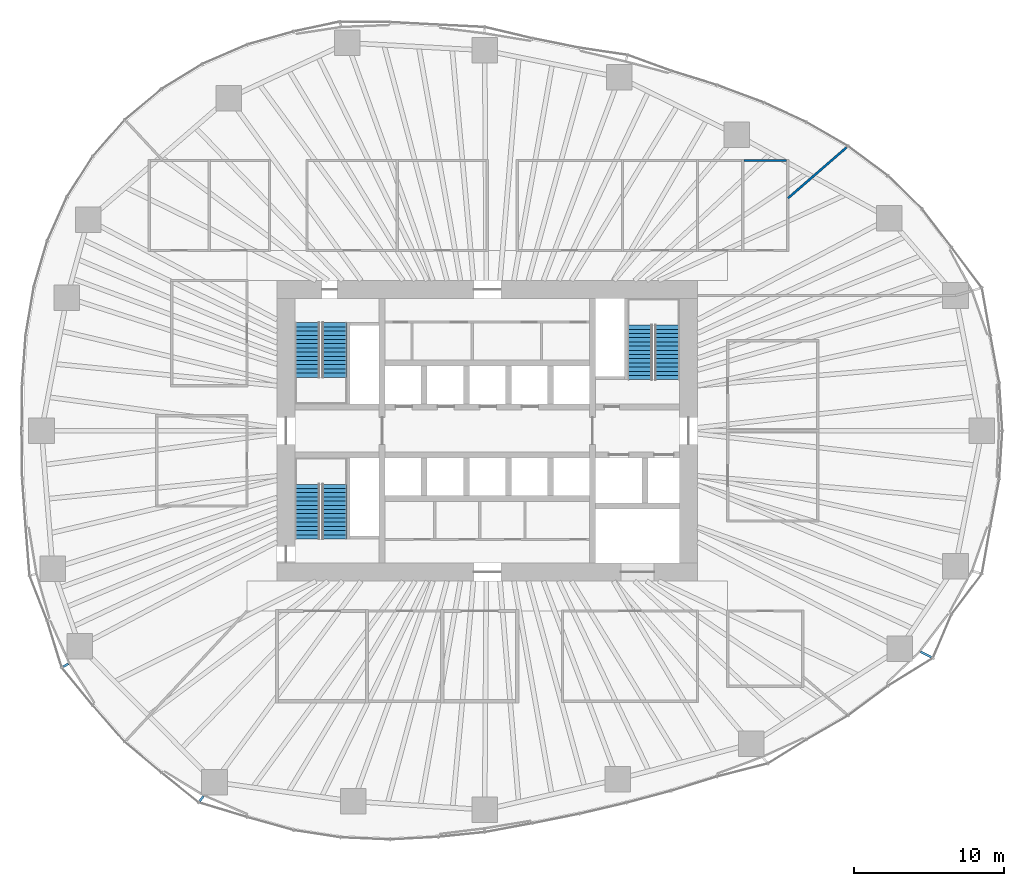
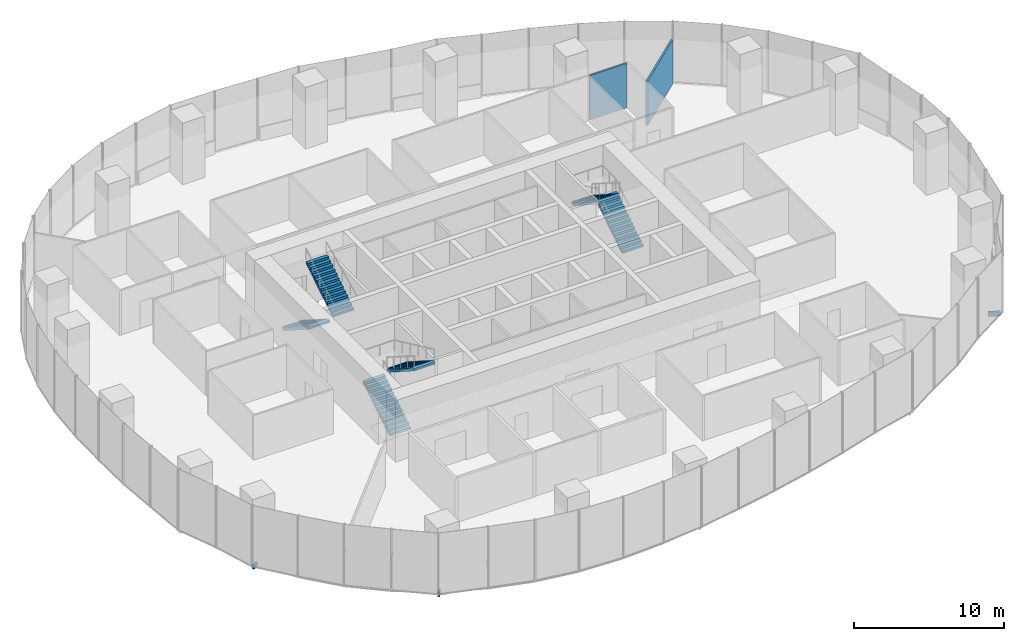
# One storey, part 12 of 19: 6 stair flights, 3 discrete accessories, 2 walls, 3 elements without a shape of their own.
"""IFC4 building model written with IfcOpenShell, lengths in metres."""

from ifc_helpers import new_model, si_unit, direction, frame, frame_2d, origin, origin_2d, place, context, subcontext, project, spatial, polyline, rectangle, outline, extrude, material, layer, layer_set, type_object, element, aggregate, save


model = new_model("IFC4")

# Units and contexts
model_context = context("Model", 3, precision=1e-05, world=origin(), true_north=direction((0.0, 1.0)))
body_context = subcontext(model_context, "Body", "Model", "MODEL_VIEW")
ifc_project = project(units=[si_unit("LENGTHUNIT", "METRE"), si_unit("AREAUNIT", "SQUARE_METRE"), si_unit("VOLUMEUNIT", "CUBIC_METRE"), si_unit("PLANEANGLEUNIT", "RADIAN"), si_unit("MASSUNIT", "GRAM", prefix="KILO")], contexts=[model_context])

# Site, building, storey
site_placement = place(None, origin())
site = spatial("IfcSite", under=ifc_project, at=site_placement, CompositionType="ELEMENT")
building_placement = place(site_placement, origin())
building = spatial("IfcBuilding", under=site, at=building_placement, Name="Ghaith Harvest Tower", CompositionType="ELEMENT")
storey_placement = place(building_placement, frame((0.0, 0.0, 75.0)))
storey = spatial("IfcBuildingStorey", under=building, at=storey_placement, Name="L15", CompositionType="ELEMENT", Elevation=75.0)

# Walls
ifc_material_1 = material(Name="Gypsum board on steel studs", Category="steel")
ifc_layer = layer(ifc_material_1, 0.14990234375)
ifc_layer_set = layer_set([ifc_layer], Name="PARTITION 150")
wall_type = type_object("IfcWallType", Name="PARTITION 150", PredefinedType="PARTITIONING", material=ifc_layer_set)
wall_1_placement = place(storey_placement, frame((17.074951171875, 18.0, 0.0), z_axis=(0.0, 0.0, 1.0), x_axis=(1.0, 0.0, 0.0)))
element("IfcWall", 1, at=wall_1_placement, inside=storey, type_object=wall_type, Name="Partition L15-13", PredefinedType="PARTITIONING", context=body_context, shape_type="SweptSolid", body=[
    extrude(rectangle(XDim=2.85009765625, YDim=0.14990234375, at=frame_2d((1.425048828125, 0.0))), origin(), (0.0, 0.0, 1.0), 3.60009765625),
])
wall_2_placement = place(storey_placement, frame((20.02001953125, 15.48681640625, 0.0), z_axis=(0.0, 0.0, 1.0), x_axis=(0.755443308786, 0.655214016342, 0.0)))
element("IfcWall", 2, at=wall_2_placement, inside=storey, type_object=wall_type, Name="Partition L15 zone division", PredefinedType="PARTITIONING", context=body_context, shape_type="SweptSolid", body=[
    extrude(rectangle(XDim=5.14697265625, YDim=0.14990234375, at=frame_2d((2.573486328125, 0.0))), origin(), (0.0, 0.0, 1.0), 3.60009765625),
])

# Stair, stair flights
ifc_material_2 = material(Name="Concrete C40/50, precast", Category="concrete")
stair_type = type_object("IfcStairType", Name="CORE STAIR 28R", PredefinedType="HALF_TURN_STAIR", material=ifc_material_2)
stair_1_placement = place(storey_placement, origin())
stair_1 = element("IfcStair", 3, at=stair_1_placement, inside=storey, type_object=stair_type, Name="Stair ST1 L15", PredefinedType="HALF_TURN_STAIR")
ifc_material_3 = material(Name="Concrete C40/50, precast", Category="concrete")
stair_flight_type = type_object("IfcStairFlightType", Name="CORE FLIGHT 14R 1600", PredefinedType="STRAIGHT", material=ifc_material_3)
stair_flight_1_placement = place(storey_placement, frame((-12.0, 7.199951171875, 0.0), z_axis=(0.0, 0.0, 1.0), x_axis=(0.0, -1.0, 0.0)))
stair_flight_1 = element("IfcStairFlight", 4, at=stair_flight_1_placement, type_object=stair_flight_type, Name="ST1 flight 1", NumberOfRisers=14, NumberOfTreads=13, PredefinedType="STRAIGHT", RiserHeight=0.178571429, TreadLength=0.28, context=body_context, shape_type="SweptSolid", body=[
    extrude(outline(polyline([(0.0, 0.0), (0.0, 0.178466796875), (0.280029296875, 0.178466796875), (0.280029296875, 0.357177734375), (0.56005859375, 0.357177734375), (0.56005859375, 0.53564453125), (0.840087890625, 0.53564453125), (0.840087890625, 0.71435546875), (1.1201171875, 0.71435546875), (1.1201171875, 0.892822265625), (1.39990234375, 0.892822265625), (1.39990234375, 1.071533203125), (1.679931640625, 1.071533203125), (1.679931640625, 1.25), (1.9599609375, 1.25), (1.9599609375, 1.428466796875), (2.239990234375, 1.428466796875), (2.239990234375, 1.607177734375), (2.52001953125, 1.607177734375), (2.52001953125, 1.78564453125), (2.800048828125, 1.78564453125), (2.800048828125, 1.96435546875), (3.080078125, 1.96435546875), (3.080078125, 2.142822265625), (3.360107421875, 2.142822265625), (3.360107421875, 2.321533203125), (3.639892578125, 2.321533203125), (3.639892578125, 2.5), (3.639892578125, 2.1435546875), (0.27880859375, 0.0), (0.0, 0.0)])), frame((0.0, 0.800048828125, 0.0), z_axis=(0.0, -1.0, 0.0), x_axis=(1.0, 0.0, 0.0)), (0.0, 0.0, 1.0), 1.60009765625),
])
stair_flight_2_placement = place(storey_placement, frame((-10.14990234375, 3.56005859375, 2.5), z_axis=(0.0, 0.0, 1.0), x_axis=(0.0, 1.0, 0.0)))
stair_flight_2 = element("IfcStairFlight", 5, at=stair_flight_2_placement, type_object=stair_flight_type, Name="ST1 flight 2", NumberOfRisers=14, NumberOfTreads=13, PredefinedType="STRAIGHT", RiserHeight=0.178571429, TreadLength=0.28, context=body_context, shape_type="SweptSolid", body=[
    extrude(outline(polyline([(0.0, 0.0), (0.0, 0.178466796875), (0.280029296875, 0.178466796875), (0.280029296875, 0.357177734375), (0.56005859375, 0.357177734375), (0.56005859375, 0.53564453125), (0.840087890625, 0.53564453125), (0.840087890625, 0.71435546875), (1.1201171875, 0.71435546875), (1.1201171875, 0.892822265625), (1.39990234375, 0.892822265625), (1.39990234375, 1.071533203125), (1.679931640625, 1.071533203125), (1.679931640625, 1.25), (1.9599609375, 1.25), (1.9599609375, 1.428466796875), (2.239990234375, 1.428466796875), (2.239990234375, 1.607177734375), (2.52001953125, 1.607177734375), (2.52001953125, 1.78564453125), (2.800048828125, 1.78564453125), (2.800048828125, 1.96435546875), (3.080078125, 1.96435546875), (3.080078125, 2.142822265625), (3.360107421875, 2.142822265625), (3.360107421875, 2.321533203125), (3.639892578125, 2.321533203125), (3.639892578125, 2.5), (3.639892578125, 2.1435546875), (0.27880859375, 0.0), (0.0, 0.0)])), frame((0.0, 0.800048828125, 0.0), z_axis=(0.0, -1.0, 0.0), x_axis=(1.0, 0.0, 0.0)), (0.0, 0.0, 1.0), 1.60009765625),
])
aggregate(stair_1, [stair_flight_1, stair_flight_2])

stair_2_placement = place(storey_placement, origin())
stair_2 = element("IfcStair", 6, at=stair_2_placement, inside=storey, type_object=stair_type, Name="Stair ST3 L15", PredefinedType="HALF_TURN_STAIR")
stair_flight_3_placement = place(storey_placement, frame((-12.0, -7.199951171875, 0.0), z_axis=(0.0, 0.0, 1.0), x_axis=(0.0, 1.0, 0.0)))
stair_flight_3 = element("IfcStairFlight", 7, at=stair_flight_3_placement, type_object=stair_flight_type, Name="ST3 flight 1", NumberOfRisers=14, NumberOfTreads=13, PredefinedType="STRAIGHT", RiserHeight=0.178571429, TreadLength=0.28, context=body_context, shape_type="SweptSolid", body=[
    extrude(outline(polyline([(0.0, 0.0), (0.0, 0.178466796875), (0.280029296875, 0.178466796875), (0.280029296875, 0.357177734375), (0.56005859375, 0.357177734375), (0.56005859375, 0.53564453125), (0.840087890625, 0.53564453125), (0.840087890625, 0.71435546875), (1.1201171875, 0.71435546875), (1.1201171875, 0.892822265625), (1.39990234375, 0.892822265625), (1.39990234375, 1.071533203125), (1.679931640625, 1.071533203125), (1.679931640625, 1.25), (1.9599609375, 1.25), (1.9599609375, 1.428466796875), (2.239990234375, 1.428466796875), (2.239990234375, 1.607177734375), (2.52001953125, 1.607177734375), (2.52001953125, 1.78564453125), (2.800048828125, 1.78564453125), (2.800048828125, 1.96435546875), (3.080078125, 1.96435546875), (3.080078125, 2.142822265625), (3.360107421875, 2.142822265625), (3.360107421875, 2.321533203125), (3.639892578125, 2.321533203125), (3.639892578125, 2.5), (3.639892578125, 2.1435546875), (0.27880859375, 0.0), (0.0, 0.0)])), frame((0.0, 0.800048828125, 0.0), z_axis=(0.0, -1.0, 0.0), x_axis=(1.0, 0.0, 0.0)), (0.0, 0.0, 1.0), 1.60009765625),
])
stair_flight_4_placement = place(storey_placement, frame((-10.14990234375, -3.56005859375, 2.5), z_axis=(0.0, 0.0, 1.0), x_axis=(0.0, -1.0, 0.0)))
stair_flight_4 = element("IfcStairFlight", 8, at=stair_flight_4_placement, type_object=stair_flight_type, Name="ST3 flight 2", NumberOfRisers=14, NumberOfTreads=13, PredefinedType="STRAIGHT", RiserHeight=0.178571429, TreadLength=0.28, context=body_context, shape_type="SweptSolid", body=[
    extrude(outline(polyline([(0.0, 0.0), (0.0, 0.178466796875), (0.280029296875, 0.178466796875), (0.280029296875, 0.357177734375), (0.56005859375, 0.357177734375), (0.56005859375, 0.53564453125), (0.840087890625, 0.53564453125), (0.840087890625, 0.71435546875), (1.1201171875, 0.71435546875), (1.1201171875, 0.892822265625), (1.39990234375, 0.892822265625), (1.39990234375, 1.071533203125), (1.679931640625, 1.071533203125), (1.679931640625, 1.25), (1.9599609375, 1.25), (1.9599609375, 1.428466796875), (2.239990234375, 1.428466796875), (2.239990234375, 1.607177734375), (2.52001953125, 1.607177734375), (2.52001953125, 1.78564453125), (2.800048828125, 1.78564453125), (2.800048828125, 1.96435546875), (3.080078125, 1.96435546875), (3.080078125, 2.142822265625), (3.360107421875, 2.142822265625), (3.360107421875, 2.321533203125), (3.639892578125, 2.321533203125), (3.639892578125, 2.5), (3.639892578125, 2.1435546875), (0.27880859375, 0.0), (0.0, 0.0)])), frame((0.0, 0.800048828125, 0.0), z_axis=(0.0, -1.0, 0.0), x_axis=(1.0, 0.0, 0.0)), (0.0, 0.0, 1.0), 1.60009765625),
])
aggregate(stair_2, [stair_flight_3, stair_flight_4])

stair_3_placement = place(storey_placement, origin())
stair_3 = element("IfcStair", 9, at=stair_3_placement, inside=storey, type_object=stair_type, Name="Stair ST2 L15", PredefinedType="HALF_TURN_STAIR")
stair_flight_5_placement = place(storey_placement, frame((12.0, 3.39990234375, 0.0), z_axis=(0.0, 0.0, 1.0), x_axis=(0.0, 1.0, 0.0)))
stair_flight_5 = element("IfcStairFlight", 10, at=stair_flight_5_placement, type_object=stair_flight_type, Name="ST2 flight 1", NumberOfRisers=14, NumberOfTreads=13, PredefinedType="STRAIGHT", RiserHeight=0.178571429, TreadLength=0.28, context=body_context, shape_type="SweptSolid", body=[
    extrude(outline(polyline([(0.0, 0.0), (0.0, 0.178466796875), (0.280029296875, 0.178466796875), (0.280029296875, 0.357177734375), (0.56005859375, 0.357177734375), (0.56005859375, 0.53564453125), (0.840087890625, 0.53564453125), (0.840087890625, 0.71435546875), (1.1201171875, 0.71435546875), (1.1201171875, 0.892822265625), (1.39990234375, 0.892822265625), (1.39990234375, 1.071533203125), (1.679931640625, 1.071533203125), (1.679931640625, 1.25), (1.9599609375, 1.25), (1.9599609375, 1.428466796875), (2.239990234375, 1.428466796875), (2.239990234375, 1.607177734375), (2.52001953125, 1.607177734375), (2.52001953125, 1.78564453125), (2.800048828125, 1.78564453125), (2.800048828125, 1.96435546875), (3.080078125, 1.96435546875), (3.080078125, 2.142822265625), (3.360107421875, 2.142822265625), (3.360107421875, 2.321533203125), (3.639892578125, 2.321533203125), (3.639892578125, 2.5), (3.639892578125, 2.1435546875), (0.27880859375, 0.0), (0.0, 0.0)])), frame((0.0, 0.800048828125, 0.0), z_axis=(0.0, -1.0, 0.0), x_axis=(1.0, 0.0, 0.0)), (0.0, 0.0, 1.0), 1.60009765625),
])
stair_flight_6_placement = place(storey_placement, frame((10.14990234375, 7.0400390625, 2.5), z_axis=(0.0, 0.0, 1.0), x_axis=(0.0, -1.0, 0.0)))
stair_flight_6 = element("IfcStairFlight", 11, at=stair_flight_6_placement, type_object=stair_flight_type, Name="ST2 flight 2", NumberOfRisers=14, NumberOfTreads=13, PredefinedType="STRAIGHT", RiserHeight=0.178571429, TreadLength=0.28, context=body_context, shape_type="SweptSolid", body=[
    extrude(outline(polyline([(0.0, 0.0), (0.0, 0.178466796875), (0.280029296875, 0.178466796875), (0.280029296875, 0.357177734375), (0.56005859375, 0.357177734375), (0.56005859375, 0.53564453125), (0.840087890625, 0.53564453125), (0.840087890625, 0.71435546875), (1.1201171875, 0.71435546875), (1.1201171875, 0.892822265625), (1.39990234375, 0.892822265625), (1.39990234375, 1.071533203125), (1.679931640625, 1.071533203125), (1.679931640625, 1.25), (1.9599609375, 1.25), (1.9599609375, 1.428466796875), (2.239990234375, 1.428466796875), (2.239990234375, 1.607177734375), (2.52001953125, 1.607177734375), (2.52001953125, 1.78564453125), (2.800048828125, 1.78564453125), (2.800048828125, 1.96435546875), (3.080078125, 1.96435546875), (3.080078125, 2.142822265625), (3.360107421875, 2.142822265625), (3.360107421875, 2.321533203125), (3.639892578125, 2.321533203125), (3.639892578125, 2.5), (3.639892578125, 2.1435546875), (0.27880859375, 0.0), (0.0, 0.0)])), frame((0.0, 0.800048828125, 0.0), z_axis=(0.0, -1.0, 0.0), x_axis=(1.0, 0.0, 0.0)), (0.0, 0.0, 1.0), 1.60009765625),
])
aggregate(stair_3, [stair_flight_5, stair_flight_6])

# Discrete accessories
ifc_material_4 = material(Name="Stainless steel grade 1.4401", Category="steel")
discrete_accessory_type_1 = type_object("IfcDiscreteAccessoryType", Name="CURTAIN WALL BRACKET 415", PredefinedType="BRACKET", material=ifc_material_4)
discrete_accessory_1_placement = place(storey_placement, frame((-28.05859375, -15.60546875, -0.25), z_axis=(0.0, 0.0, 1.0), x_axis=(-0.873926916099, -0.486057347767, 0.0)))
element("IfcDiscreteAccessory", 12, at=discrete_accessory_1_placement, inside=storey, type_object=discrete_accessory_type_1, Name="CW-F bracket 3 bay 12 L15", PredefinedType="BRACKET", context=body_context, shape_type="SweptSolid", body=[
    extrude(rectangle(XDim=0.4150390625, YDim=0.14990234375, at=origin_2d()), origin(), (0.0, 0.0, 1.0), 0.35009765625),
])
ifc_material_5 = material(Name="Stainless steel grade 1.4401", Category="steel")
discrete_accessory_type_2 = type_object("IfcDiscreteAccessoryType", Name="CURTAIN WALL BRACKET 425", PredefinedType="BRACKET", material=ifc_material_5)
discrete_accessory_2_placement = place(storey_placement, frame((-19.02099609375, -24.491455078125, -0.25), z_axis=(0.0, 0.0, 1.0), x_axis=(-0.613377713774, -0.789789706343, 0.0)))
element("IfcDiscreteAccessory", 13, at=discrete_accessory_2_placement, inside=storey, type_object=discrete_accessory_type_2, Name="CW-F bracket 1 bay 14 L15", PredefinedType="BRACKET", context=body_context, shape_type="SweptSolid", body=[
    extrude(rectangle(XDim=0.425048828125, YDim=0.14990234375, at=origin_2d()), origin(), (0.0, 0.0, 1.0), 0.35009765625),
])
ifc_material_6 = material(Name="Stainless steel grade 1.4401", Category="steel")
discrete_accessory_type_3 = type_object("IfcDiscreteAccessoryType", Name="CURTAIN WALL BRACKET 825", PredefinedType="BRACKET", material=ifc_material_6)
discrete_accessory_3_placement = place(storey_placement, frame((29.203125, -14.89404296875, -0.25), z_axis=(0.0, 0.0, 1.0), x_axis=(0.890830752177, -0.454335306767, 0.0)))
element("IfcDiscreteAccessory", 14, at=discrete_accessory_3_placement, inside=storey, type_object=discrete_accessory_type_3, Name="CW-F bracket 2 bay 19 L15", PredefinedType="BRACKET", context=body_context, shape_type="SweptSolid", body=[
    extrude(rectangle(XDim=0.824951171875, YDim=0.14990234375, at=origin_2d()), origin(), (0.0, 0.0, 1.0), 0.35009765625),
])

save(model, "model.ifc")
